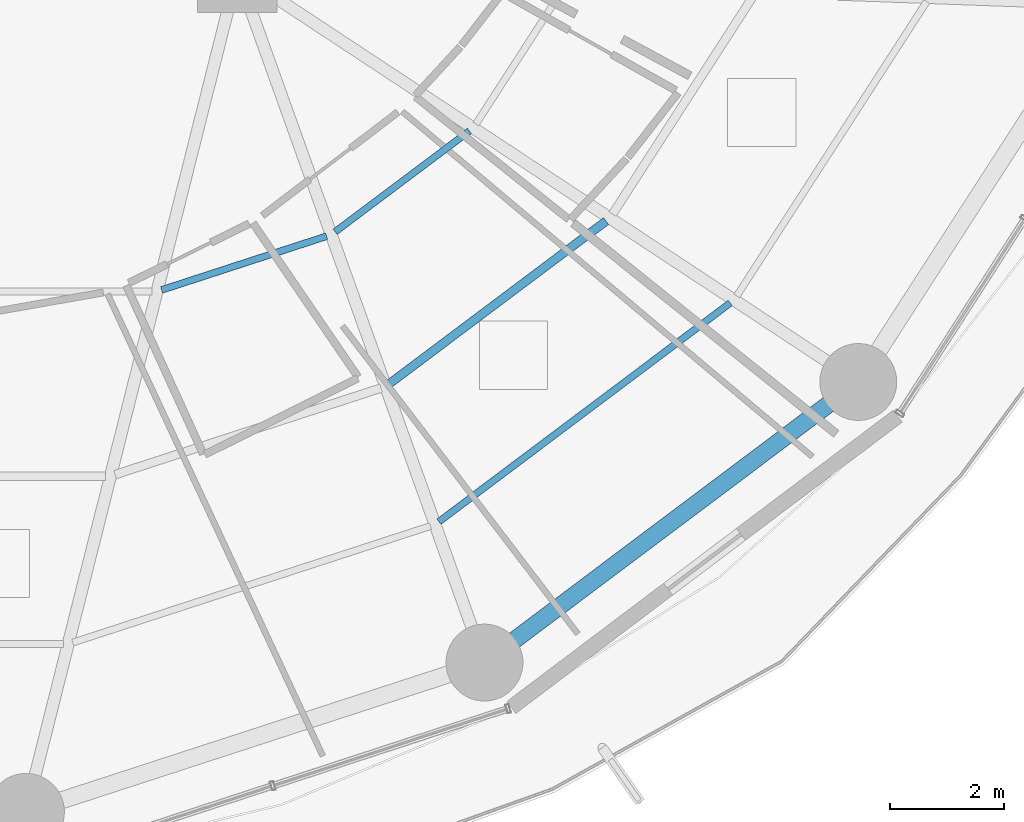
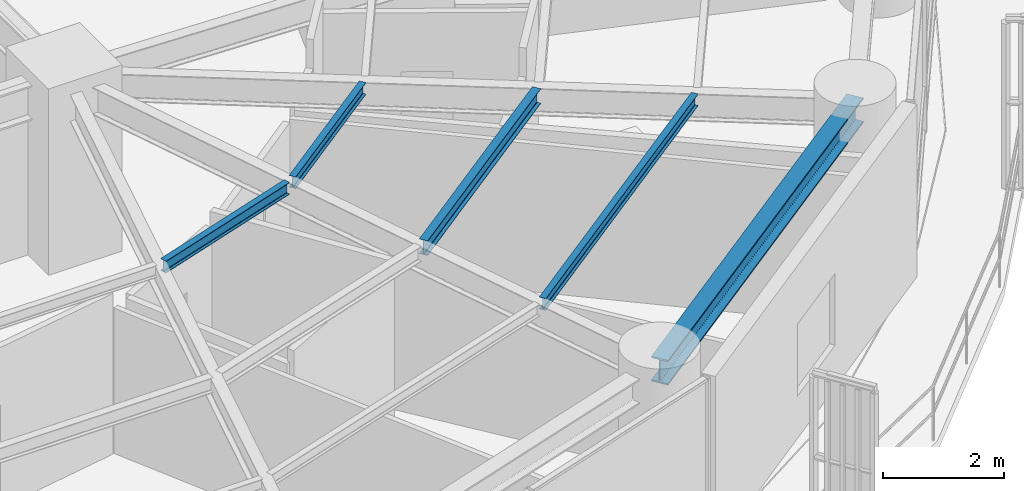
# One storey, part 11 of 36: 5 beams.
"""IFC4 building model written with IfcOpenShell, lengths in metres."""

from ifc_helpers import new_model, si_unit, direction, frame, origin, origin_2d, place, context, subcontext, project, spatial, i_section, extrude, material, material_profile, profile_set, type_object, element, save


model = new_model("IFC4")

# Units and contexts
model_context = context("Model", 3, precision=1e-05, world=origin(), true_north=direction((0.0, 1.0)))
body_context = subcontext(model_context, "Body", "Model", "MODEL_VIEW")
ifc_project = project(units=[si_unit("LENGTHUNIT", "METRE"), si_unit("AREAUNIT", "SQUARE_METRE"), si_unit("VOLUMEUNIT", "CUBIC_METRE"), si_unit("PLANEANGLEUNIT", "RADIAN"), si_unit("MASSUNIT", "GRAM", prefix="KILO")], contexts=[model_context])

# Site, building, storey
site_placement = place(None, origin())
site = spatial("IfcSite", under=ifc_project, at=site_placement, CompositionType="ELEMENT")
building_placement = place(site_placement, origin())
building = spatial("IfcBuilding", under=site, at=building_placement, Name="Kelanora Arch Commons", CompositionType="ELEMENT")
storey_placement = place(building_placement, frame((0.0, 0.0, 98.85009765625)))
storey = spatial("IfcBuildingStorey", under=building, at=storey_placement, Name="L25", CompositionType="ELEMENT", Elevation=98.85009765625)

# Beams
ifc_material = material(Name="Steel S355", Category="steel")
ifc_material_profile_1 = material_profile(ifc_material, i_section(OverallWidth=0.14990234375, OverallDepth=0.300048828125, WebThickness=0.007080078125, FlangeThickness=0.0107421875, FilletRadius=0.014892578125, at=origin_2d()), Name="IPE300")
ifc_profile_set_1 = profile_set([ifc_material_profile_1], Name="Steel S355")
beam_type_1 = type_object("IfcBeamType", Name="BM-JST-01", PredefinedType="JOIST", material=ifc_profile_set_1)
beam_1_placement = place(storey_placement, frame((84.672119140625, 43.77783203125, 3.33984375), z_axis=(0.79971039107, 0.600385951214, 0.0), x_axis=(-0.600385951214, 0.79971039107, 0.0)))
element("IfcBeam", 1, at=beam_1_placement, inside=storey, type_object=beam_type_1, Name="Secondary Chord Joist BJB-30 L25", PredefinedType="JOIST", context=body_context, shape_type="SweptSolid", body=[
    extrude(i_section(OverallWidth=0.14990234375, OverallDepth=0.300048828125, WebThickness=0.007080078125, FlangeThickness=0.0107421875, FilletRadius=0.014892578125, at=origin_2d()), origin(), (0.0, 0.0, 1.0), 4.756103515625),
])
ifc_material_profile_2 = material_profile(ifc_material, i_section(OverallWidth=0.1201171875, OverallDepth=0.239990234375, WebThickness=0.006103515625, FlangeThickness=0.009765625, FilletRadius=0.014892578125, at=origin_2d()), Name="IPE240")
ifc_profile_set_2 = profile_set([ifc_material_profile_2], Name="Steel S355")
beam_type_2 = type_object("IfcBeamType", Name="BM-JST-02", PredefinedType="JOIST", material=ifc_profile_set_2)
beam_2_placement = place(storey_placement, frame((80.66943359375, 45.42333984375, 3.369873046875), z_axis=(0.950846758946, 0.309661817151, 0.0), x_axis=(-0.309661817151, 0.950846758946, 0.0)))
element("IfcBeam", 2, at=beam_2_placement, inside=storey, type_object=beam_type_2, Name="Secondary Chord Joist BJA-28 L25", PredefinedType="JOIST", context=body_context, shape_type="SweptSolid", body=[
    extrude(i_section(OverallWidth=0.1201171875, OverallDepth=0.239990234375, WebThickness=0.006103515625, FlangeThickness=0.009765625, FilletRadius=0.014892578125, at=origin_2d()), origin(), (0.0, 0.0, 1.0), 3.048828125),
])
beam_3_placement = place(storey_placement, frame((83.71728515625, 46.444580078125, 3.369873046875), z_axis=(0.799692034361, 0.600410401458, 0.0), x_axis=(-0.600410401458, 0.799692034361, 0.0)))
element("IfcBeam", 3, at=beam_3_placement, inside=storey, type_object=beam_type_2, Name="Secondary Chord Joist BJA-30 L25", PredefinedType="JOIST", context=body_context, shape_type="SweptSolid", body=[
    extrude(i_section(OverallWidth=0.1201171875, OverallDepth=0.239990234375, WebThickness=0.006103515625, FlangeThickness=0.009765625, FilletRadius=0.014892578125, at=origin_2d()), origin(), (0.0, 0.0, 1.0), 2.949951171875),
])
beam_4_placement = place(storey_placement, frame((85.5400390625, 41.353515625, 3.369873046875), z_axis=(0.799734335646, 0.600354055861, 0.0), x_axis=(-0.600354055861, 0.799734335646, 0.0)))
element("IfcBeam", 4, at=beam_4_placement, inside=storey, type_object=beam_type_2, Name="Secondary Chord Joist BJC-30 L25", PredefinedType="JOIST", context=body_context, shape_type="SweptSolid", body=[
    extrude(i_section(OverallWidth=0.1201171875, OverallDepth=0.239990234375, WebThickness=0.006103515625, FlangeThickness=0.009765625, FilletRadius=0.014892578125, at=origin_2d()), origin(), (0.0, 0.0, 1.0), 6.39794921875),
])
ifc_material_profile_3 = material_profile(ifc_material, i_section(OverallWidth=0.300048828125, OverallDepth=0.5, WebThickness=0.014404296875, FlangeThickness=0.028076171875, FilletRadius=0.027099609375, at=origin_2d()), Name="HEB500")
ifc_profile_set_3 = profile_set([ifc_material_profile_3], Name="Steel S355")
beam_type_3 = type_object("IfcBeamType", Name="BM-SPN-Z2", PredefinedType="SPANDREL", material=ifc_profile_set_3)
beam_5_placement = place(storey_placement, frame((86.340087890625, 38.878173828125, 3.239990234375), z_axis=(0.799735861602, 0.600352023123, 0.0), x_axis=(-0.600352023123, 0.799735861602, 0.0)))
element("IfcBeam", 5, at=beam_5_placement, inside=storey, type_object=beam_type_3, Name="Perimeter Spandrel Beam BS-30 L25", PredefinedType="SPANDREL", context=body_context, shape_type="SweptSolid", body=[
    extrude(i_section(OverallWidth=0.300048828125, OverallDepth=0.5, WebThickness=0.014404296875, FlangeThickness=0.028076171875, FilletRadius=0.027099609375, at=origin_2d()), origin(), (0.0, 0.0, 1.0), 8.210205078125),
])

save(model, "model.ifc")
